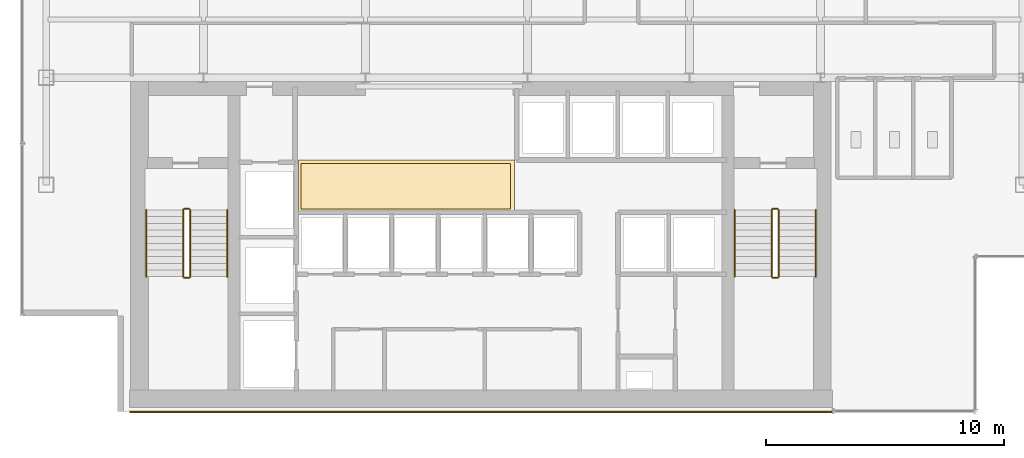
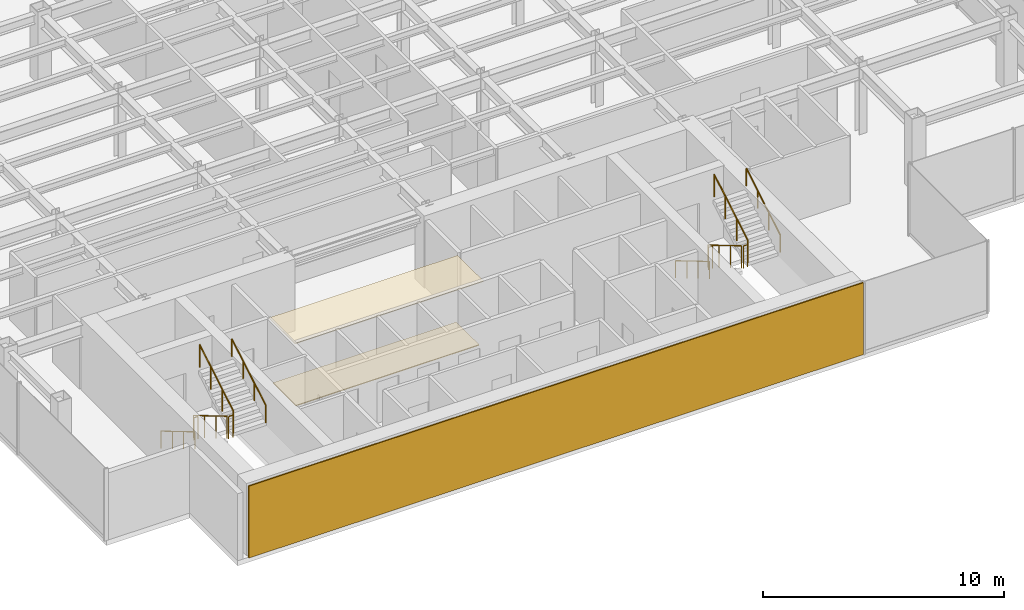
# One storey, part 23 of 25: 12 railings, 3 coverings.
"""IFC4 building model written with IfcOpenShell, lengths in metres."""

from ifc_helpers import new_model, si_unit, derived_unit, direction, frame, origin, origin_2d, place, context, subcontext, project, spatial, polyline, rectangle, circle, outline, extrude, source, transform, mapped, material, layer, layer_set, type_object, element, save


model = new_model("IFC4")

# Units and contexts
model_context = context("Model", 3, precision=1e-05, world=origin(), true_north=direction((0.0, 1.0)))
body_context = subcontext(model_context, "Body", "Model", "MODEL_VIEW")
ifc_project = project(units=[si_unit("LENGTHUNIT", "METRE"), si_unit("AREAUNIT", "SQUARE_METRE"), si_unit("VOLUMEUNIT", "CUBIC_METRE"), si_unit("PLANEANGLEUNIT", "RADIAN"), si_unit("MASSUNIT", "GRAM", prefix="KILO"), derived_unit("THERMALTRANSMITTANCEUNIT", [(si_unit("POWERUNIT", "WATT"), 1), (si_unit("LENGTHUNIT", "METRE"), -2), (si_unit("THERMODYNAMICTEMPERATUREUNIT", "KELVIN"), -1)])], contexts=[model_context])

# Site, building, storey
site_placement = place(None, origin())
site = spatial("IfcSite", under=ifc_project, at=site_placement, CompositionType="ELEMENT")
building_placement = place(site_placement, origin())
building = spatial("IfcBuilding", under=site, at=building_placement, Name="Skarnbrae Concourse Arena and Tower", CompositionType="ELEMENT")
storey_placement = place(building_placement, frame((0.0, 0.0, 147.89990234375)))
storey = spatial("IfcBuildingStorey", under=building, at=storey_placement, Name="L37", CompositionType="ELEMENT", Elevation=147.89990234375)

# Coverings
ifc_material_1 = material(Name="Mineral fibre acoustic ceiling tile", Category="other")
ifc_layer_1 = layer(ifc_material_1, 0.0400390625)
ifc_layer_set_1 = layer_set([ifc_layer_1], Name="Mineral fibre acoustic ceiling tile")
covering_type_1 = type_object("IfcCoveringType", Name="COV-CEIL-ACOUSTIC", PredefinedType="CEILING", material=ifc_layer_set_1)
covering_1_placement = place(storey_placement, frame((0.0, 0.0, 3.239990234375)))
element("IfcCovering", 1, at=covering_1_placement, inside=storey, type_object=covering_type_1, Name="L37 Lift lobby acoustic ceiling", PredefinedType="CEILING", context=body_context, shape_type="SweptSolid", body=[
    extrude(outline(polyline([(11.60009765625, 8.39990234375), (20.64990234375, 8.39990234375), (20.64990234375, 10.550048828125), (11.60009765625, 10.550048828125), (11.60009765625, 8.39990234375)])), origin(), (0.0, 0.0, 1.0), 0.0400390625),
])
ifc_material_2 = material(Name="Polished granite terrazzo flooring", Category="masonry")
ifc_layer_2 = layer(ifc_material_2, 0.0400390625)
ifc_layer_set_2 = layer_set([ifc_layer_2], Name="Polished granite terrazzo flooring")
covering_type_2 = type_object("IfcCoveringType", Name="COV-FLOOR-TERRAZZO", PredefinedType="FLOORING", material=ifc_layer_set_2)
covering_2_placement = place(storey_placement, origin())
element("IfcCovering", 2, at=covering_2_placement, inside=storey, type_object=covering_type_2, Name="L37 Lift lobby terrazzo flooring", PredefinedType="FLOORING", context=body_context, shape_type="SweptSolid", body=[
    extrude(outline(polyline([(11.699951171875, 8.5), (20.5, 8.5), (20.5, 10.39990234375), (11.699951171875, 10.39990234375), (11.699951171875, 8.5)])), origin(), (0.0, 0.0, 1.0), 0.0400390625),
])

# Railings
ifc_material_3 = material(Name="Steel CSA G40.21 350W", Category="steel")
railing_type_1 = type_object("IfcRailingType", Name="RAIL-HANDRAIL-900", PredefinedType="HANDRAIL", material=ifc_material_3)
railing_1_placement = place(storey_placement, frame((5.199951171875, 8.449951171875, 0.166015625)))
element("IfcRailing", 3, at=railing_1_placement, inside=storey, type_object=railing_type_1, Name="L37 ST-1 stair handrail 1", PredefinedType="HANDRAIL", context=body_context, shape_type="SweptSolid", body=[
    extrude(circle(Radius=0.02392578125, at=origin_2d()), frame((0.0, 0.0, 0.8759765625), z_axis=(0.0, -0.860306154799, 0.50977771628), x_axis=(1.0, 0.0, 0.0)), (0.0, 0.0, 1.0), 3.254638671875),
    extrude(circle(Radius=0.02099609375, at=origin_2d()), origin(), (0.0, 0.0, 1.0), 0.851806640625),
    extrude(circle(Radius=0.02099609375, at=origin_2d()), frame((0.0, -0.933349609375, 0.552978515625)), (0.0, 0.0, 1.0), 0.851806640625),
    extrude(circle(Radius=0.02099609375, at=origin_2d()), frame((0.0, -1.86669921875, 1.106201171875)), (0.0, 0.0, 1.0), 0.851806640625),
    extrude(circle(Radius=0.02099609375, at=origin_2d()), frame((0.0, -2.800048828125, 1.6591796875)), (0.0, 0.0, 1.0), 0.851806640625),
])
railing_2_placement = place(storey_placement, frame((8.60009765625, 5.64990234375, 1.990966796875)))
element("IfcRailing", 4, at=railing_2_placement, inside=storey, type_object=railing_type_1, Name="L37 ST-1 stair handrail 2", PredefinedType="HANDRAIL", context=body_context, shape_type="SweptSolid", body=[
    extrude(circle(Radius=0.02392578125, at=origin_2d()), frame((0.0, 0.0, 0.8759765625), z_axis=(0.0, 0.860306154799, 0.50977771628), x_axis=(-1.0, 0.0, 0.0)), (0.0, 0.0, 1.0), 3.254638671875),
    extrude(circle(Radius=0.02099609375, at=origin_2d()), origin(), (0.0, 0.0, 1.0), 0.851806640625),
    extrude(circle(Radius=0.02099609375, at=origin_2d()), frame((0.0, 0.933349609375, 0.552978515625)), (0.0, 0.0, 1.0), 0.851806640625),
    extrude(circle(Radius=0.02099609375, at=origin_2d()), frame((0.0, 1.86669921875, 1.106201171875)), (0.0, 0.0, 1.0), 0.851806640625),
    extrude(circle(Radius=0.02099609375, at=origin_2d()), frame((0.0, 2.800048828125, 1.6591796875)), (0.0, 0.0, 1.0), 0.851806640625),
])
railing_3_placement = place(storey_placement, frame((29.89990234375, 8.449951171875, 0.166015625)))
element("IfcRailing", 5, at=railing_3_placement, inside=storey, type_object=railing_type_1, Name="L37 ST-2 stair handrail 1", PredefinedType="HANDRAIL", context=body_context, shape_type="SweptSolid", body=[
    extrude(circle(Radius=0.02392578125, at=origin_2d()), frame((0.0, 0.0, 0.8759765625), z_axis=(0.0, -0.860306154799, 0.50977771628), x_axis=(1.0, 0.0, 0.0)), (0.0, 0.0, 1.0), 3.254638671875),
    extrude(circle(Radius=0.02099609375, at=origin_2d()), origin(), (0.0, 0.0, 1.0), 0.851806640625),
    extrude(circle(Radius=0.02099609375, at=origin_2d()), frame((0.0, -0.933349609375, 0.552978515625)), (0.0, 0.0, 1.0), 0.851806640625),
    extrude(circle(Radius=0.02099609375, at=origin_2d()), frame((0.0, -1.86669921875, 1.106201171875)), (0.0, 0.0, 1.0), 0.851806640625),
    extrude(circle(Radius=0.02099609375, at=origin_2d()), frame((0.0, -2.800048828125, 1.6591796875)), (0.0, 0.0, 1.0), 0.851806640625),
])
railing_4_placement = place(storey_placement, frame((33.300048828125, 5.64990234375, 1.990966796875)))
element("IfcRailing", 6, at=railing_4_placement, inside=storey, type_object=railing_type_1, Name="L37 ST-2 stair handrail 2", PredefinedType="HANDRAIL", context=body_context, shape_type="SweptSolid", body=[
    extrude(circle(Radius=0.02392578125, at=origin_2d()), frame((0.0, 0.0, 0.8759765625), z_axis=(0.0, 0.860306154799, 0.50977771628), x_axis=(-1.0, 0.0, 0.0)), (0.0, 0.0, 1.0), 3.254638671875),
    extrude(circle(Radius=0.02099609375, at=origin_2d()), origin(), (0.0, 0.0, 1.0), 0.851806640625),
    extrude(circle(Radius=0.02099609375, at=origin_2d()), frame((0.0, 0.933349609375, 0.552978515625)), (0.0, 0.0, 1.0), 0.851806640625),
    extrude(circle(Radius=0.02099609375, at=origin_2d()), frame((0.0, 1.86669921875, 1.106201171875)), (0.0, 0.0, 1.0), 0.851806640625),
    extrude(circle(Radius=0.02099609375, at=origin_2d()), frame((0.0, 2.800048828125, 1.6591796875)), (0.0, 0.0, 1.0), 0.851806640625),
])
railing_type_2 = type_object("IfcRailingType", Name="RAIL-STAIR-GUARD-1150", PredefinedType="GUARDRAIL", material=ifc_material_3)
railing_5_placement = place(storey_placement, frame((6.75, 8.449951171875, 0.166015625)))
element("IfcRailing", 7, at=railing_5_placement, inside=storey, type_object=railing_type_2, Name="L37 ST-1 stair guard 1", PredefinedType="GUARDRAIL", context=body_context, shape_type="SweptSolid", body=[
    extrude(circle(Radius=0.02392578125, at=origin_2d()), frame((0.0, 0.0, 1.1259765625), z_axis=(0.0, -0.860306154799, 0.50977771628), x_axis=(1.0, 0.0, 0.0)), (0.0, 0.0, 1.0), 3.254638671875),
    extrude(circle(Radius=0.02099609375, at=origin_2d()), origin(), (0.0, 0.0, 1.0), 1.101806640625),
    extrude(circle(Radius=0.02099609375, at=origin_2d()), frame((0.0, -0.933349609375, 0.552978515625)), (0.0, 0.0, 1.0), 1.101806640625),
    extrude(circle(Radius=0.02099609375, at=origin_2d()), frame((0.0, -1.86669921875, 1.106201171875)), (0.0, 0.0, 1.0), 1.101806640625),
    extrude(circle(Radius=0.02099609375, at=origin_2d()), frame((0.0, -2.800048828125, 1.6591796875)), (0.0, 0.0, 1.0), 1.101806640625),
])
railing_6_placement = place(storey_placement, frame((6.800048828125, 5.60009765625, 1.8251953125)))
element("IfcRailing", 8, at=railing_6_placement, inside=storey, type_object=railing_type_2, Name="L37 ST-1 stair guard 2", PredefinedType="GUARDRAIL", context=body_context, shape_type="SweptSolid", body=[
    extrude(circle(Radius=0.02392578125, at=origin_2d()), frame((0.0, 0.0, 1.1259765625), z_axis=(1.0, 0.0, 0.0), x_axis=(0.0, 1.0, 0.0)), (0.0, 0.0, 1.0), 0.199951171875),
    extrude(circle(Radius=0.02099609375, at=origin_2d()), origin(), (0.0, 0.0, 1.0), 1.101806640625),
    extrude(circle(Radius=0.02099609375, at=origin_2d()), frame((0.199951171875, 0.0, 0.0)), (0.0, 0.0, 1.0), 1.101806640625),
])
railing_7_placement = place(storey_placement, frame((7.050048828125, 5.64990234375, 1.990966796875)))
element("IfcRailing", 9, at=railing_7_placement, inside=storey, type_object=railing_type_2, Name="L37 ST-1 stair guard 3", PredefinedType="GUARDRAIL", context=body_context, shape_type="SweptSolid", body=[
    extrude(circle(Radius=0.02392578125, at=origin_2d()), frame((0.0, 0.0, 1.1259765625), z_axis=(0.0, 0.860306154799, 0.50977771628), x_axis=(-1.0, 0.0, 0.0)), (0.0, 0.0, 1.0), 3.254638671875),
    extrude(circle(Radius=0.02099609375, at=origin_2d()), origin(), (0.0, 0.0, 1.0), 1.101806640625),
    extrude(circle(Radius=0.02099609375, at=origin_2d()), frame((0.0, 0.933349609375, 0.552978515625)), (0.0, 0.0, 1.0), 1.101806640625),
    extrude(circle(Radius=0.02099609375, at=origin_2d()), frame((0.0, 1.86669921875, 1.106201171875)), (0.0, 0.0, 1.0), 1.101806640625),
    extrude(circle(Radius=0.02099609375, at=origin_2d()), frame((0.0, 2.800048828125, 1.6591796875)), (0.0, 0.0, 1.0), 1.101806640625),
])
railing_8_placement = place(storey_placement, frame((6.800048828125, 8.5, 0.0)))
element("IfcRailing", 10, at=railing_8_placement, inside=storey, type_object=railing_type_2, Name="L37 ST-1 stair guard 4", PredefinedType="GUARDRAIL", context=body_context, shape_type="SweptSolid", body=[
    extrude(circle(Radius=0.02392578125, at=origin_2d()), frame((0.0, 0.0, 1.1259765625), z_axis=(1.0, 0.0, 0.0), x_axis=(0.0, 1.0, 0.0)), (0.0, 0.0, 1.0), 0.199951171875),
    extrude(circle(Radius=0.02099609375, at=origin_2d()), origin(), (0.0, 0.0, 1.0), 1.101806640625),
    extrude(circle(Radius=0.02099609375, at=origin_2d()), frame((0.199951171875, 0.0, 0.0)), (0.0, 0.0, 1.0), 1.101806640625),
])
railing_9_placement = place(storey_placement, frame((31.449951171875, 8.449951171875, 0.166015625)))
element("IfcRailing", 11, at=railing_9_placement, inside=storey, type_object=railing_type_2, Name="L37 ST-2 stair guard 1", PredefinedType="GUARDRAIL", context=body_context, shape_type="SweptSolid", body=[
    extrude(circle(Radius=0.02392578125, at=origin_2d()), frame((0.0, 0.0, 1.1259765625), z_axis=(0.0, -0.860306154799, 0.50977771628), x_axis=(1.0, 0.0, 0.0)), (0.0, 0.0, 1.0), 3.254638671875),
    extrude(circle(Radius=0.02099609375, at=origin_2d()), origin(), (0.0, 0.0, 1.0), 1.101806640625),
    extrude(circle(Radius=0.02099609375, at=origin_2d()), frame((0.0, -0.933349609375, 0.552978515625)), (0.0, 0.0, 1.0), 1.101806640625),
    extrude(circle(Radius=0.02099609375, at=origin_2d()), frame((0.0, -1.86669921875, 1.106201171875)), (0.0, 0.0, 1.0), 1.101806640625),
    extrude(circle(Radius=0.02099609375, at=origin_2d()), frame((0.0, -2.800048828125, 1.6591796875)), (0.0, 0.0, 1.0), 1.101806640625),
])
railing_10_placement = place(storey_placement, frame((31.5, 5.60009765625, 1.8251953125)))
element("IfcRailing", 12, at=railing_10_placement, inside=storey, type_object=railing_type_2, Name="L37 ST-2 stair guard 2", PredefinedType="GUARDRAIL", context=body_context, shape_type="SweptSolid", body=[
    extrude(circle(Radius=0.02392578125, at=origin_2d()), frame((0.0, 0.0, 1.1259765625), z_axis=(1.0, 0.0, 0.0), x_axis=(0.0, 1.0, 0.0)), (0.0, 0.0, 1.0), 0.199951171875),
    extrude(circle(Radius=0.02099609375, at=origin_2d()), origin(), (0.0, 0.0, 1.0), 1.101806640625),
    extrude(circle(Radius=0.02099609375, at=origin_2d()), frame((0.199951171875, 0.0, 0.0)), (0.0, 0.0, 1.0), 1.101806640625),
])
railing_11_placement = place(storey_placement, frame((31.75, 5.64990234375, 1.990966796875)))
element("IfcRailing", 13, at=railing_11_placement, inside=storey, type_object=railing_type_2, Name="L37 ST-2 stair guard 3", PredefinedType="GUARDRAIL", context=body_context, shape_type="SweptSolid", body=[
    extrude(circle(Radius=0.02392578125, at=origin_2d()), frame((0.0, 0.0, 1.1259765625), z_axis=(0.0, 0.860306154799, 0.50977771628), x_axis=(-1.0, 0.0, 0.0)), (0.0, 0.0, 1.0), 3.254638671875),
    extrude(circle(Radius=0.02099609375, at=origin_2d()), origin(), (0.0, 0.0, 1.0), 1.101806640625),
    extrude(circle(Radius=0.02099609375, at=origin_2d()), frame((0.0, 0.933349609375, 0.552978515625)), (0.0, 0.0, 1.0), 1.101806640625),
    extrude(circle(Radius=0.02099609375, at=origin_2d()), frame((0.0, 1.86669921875, 1.106201171875)), (0.0, 0.0, 1.0), 1.101806640625),
    extrude(circle(Radius=0.02099609375, at=origin_2d()), frame((0.0, 2.800048828125, 1.6591796875)), (0.0, 0.0, 1.0), 1.101806640625),
])
railing_12_placement = place(storey_placement, frame((31.5, 8.5, 0.0)))
element("IfcRailing", 14, at=railing_12_placement, inside=storey, type_object=railing_type_2, Name="L37 ST-2 stair guard 4", PredefinedType="GUARDRAIL", context=body_context, shape_type="SweptSolid", body=[
    extrude(circle(Radius=0.02392578125, at=origin_2d()), frame((0.0, 0.0, 1.1259765625), z_axis=(1.0, 0.0, 0.0), x_axis=(0.0, 1.0, 0.0)), (0.0, 0.0, 1.0), 0.199951171875),
    extrude(circle(Radius=0.02099609375, at=origin_2d()), origin(), (0.0, 0.0, 1.0), 1.101806640625),
    extrude(circle(Radius=0.02099609375, at=origin_2d()), frame((0.199951171875, 0.0, 0.0)), (0.0, 0.0, 1.0), 1.101806640625),
])

# Covering
ifc_material_4 = material(Name="Bronze anodised aluminium 6063-T6", Category="aluminium")
ifc_layer_3 = layer(ifc_material_4, 0.06005859375)
ifc_layer_set_3 = layer_set([ifc_layer_3], Name="Bronze anodised aluminium 6063-T6")
covering_type_3 = type_object("IfcCoveringType", Name="COV-CLAD-BRONZE-60", PredefinedType="CLADDING", material=ifc_layer_set_3)
shared_shape = source(origin(), body_context, "Body", "SweptSolid", [
    extrude(rectangle(XDim=29.5, YDim=0.06005859375, at=origin_2d()), origin(), (0.0, 0.0, 1.0), 3.64990234375),
])
covering_3_placement = place(storey_placement, frame((19.25, -0.030029296875, 0.000244140625), z_axis=(0.0, 0.0, 1.0), x_axis=(1.0, 0.0, 0.0)))
element("IfcCovering", 15, at=covering_3_placement, inside=storey, type_object=covering_type_3, Name="L37 Rear-core plumb spine bronze rainscreen panel", PredefinedType="CLADDING", context=body_context, shape_type="MappedRepresentation", body=[
    mapped(shared_shape, transform((0.0, 0.0, 0.0))),
])

save(model, "model.ifc")
